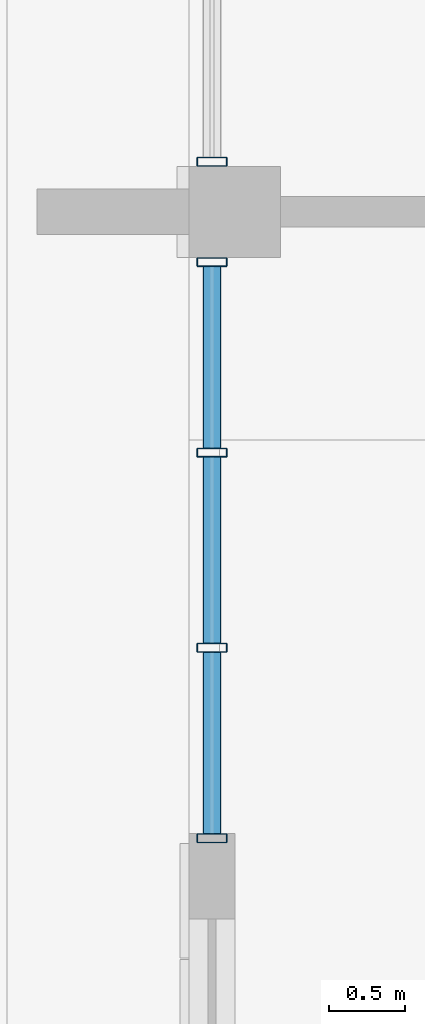
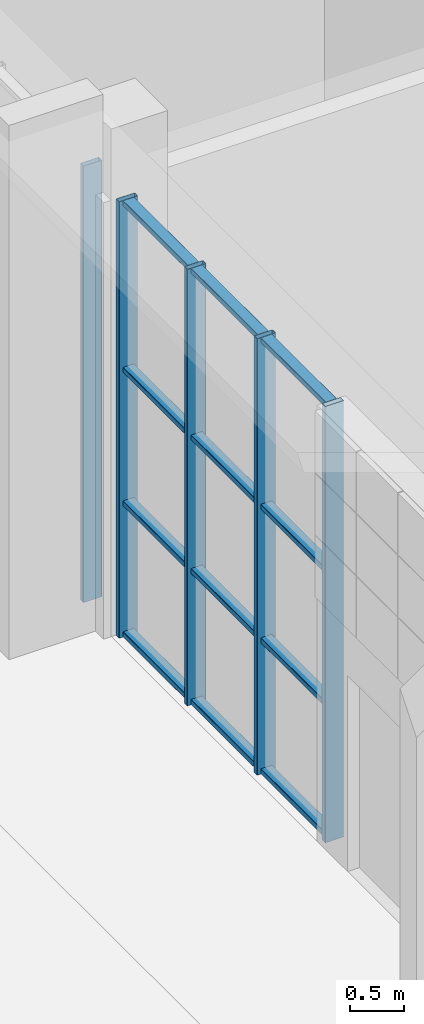
# One storey, part 33 of 125: 17 members, 2 elements without a shape of their own.
"""IFC4 building model written with IfcOpenShell, lengths in metres."""

from ifc_helpers import new_model, si_unit, direction, frame, origin, origin_2d, place, context, subcontext, project, spatial, hollow_rectangle, extrude, material, material_profile, profile_set, type_object, element, aggregate, save


model = new_model("IFC4")

# Units and contexts
model_context = context("Model", 3, precision=1e-05, world=origin(), true_north=direction((0.0, 1.0)))
body_context = subcontext(model_context, "Body", "Model", "MODEL_VIEW")
ifc_project = project(units=[si_unit("LENGTHUNIT", "METRE"), si_unit("AREAUNIT", "SQUARE_METRE"), si_unit("VOLUMEUNIT", "CUBIC_METRE"), si_unit("PLANEANGLEUNIT", "RADIAN"), si_unit("MASSUNIT", "GRAM", prefix="KILO")], contexts=[model_context])

# Site, building, storey
site_placement = place(None, origin())
site = spatial("IfcSite", under=ifc_project, at=site_placement, CompositionType="ELEMENT")
building_placement = place(site_placement, origin())
building = spatial("IfcBuilding", under=site, at=building_placement, Name="Sun Court Science Centre", CompositionType="ELEMENT")
storey_placement = place(building_placement, origin())
storey = spatial("IfcBuildingStorey", under=building, at=storey_placement, Name="L00", CompositionType="ELEMENT", Elevation=0.0)

# Curtain wall, members
ifc_material_1 = material(Name="Aluminium EN AW-6063 T6", Category="aluminium")
curtain_wall_type = type_object("IfcCurtainWallType", Name="Laboratory tall bay curtain wall 1500", PredefinedType="NOTDEFINED", material=ifc_material_1)
curtain_wall_1_placement = place(storey_placement, origin())
curtain_wall_1 = element("IfcCurtainWall", 1, at=curtain_wall_1_placement, inside=storey, type_object=curtain_wall_type, Name="Curtain wall V4 W L00 07", PredefinedType="NOTDEFINED")
ifc_material_2 = material(Name="Aluminium EN AW-6063 T6", Category="aluminium")
ifc_material_profile_1 = material_profile(ifc_material_2, hollow_rectangle(XDim=0.06005859375, YDim=0.199951171875, WallThickness=0.0048828125, InnerFilletRadius=0.0048828125, OuterFilletRadius=0.007568359375, at=origin_2d()), Name="AL 60x200x5")
ifc_profile_set_1 = profile_set([ifc_material_profile_1], Name="Aluminium EN AW-6063 T6")
member_type_1 = type_object("IfcMemberType", Name="Curtain wall mullion AL 60x200", PredefinedType="MULLION", material=ifc_profile_set_1)
member_1_placement = place(storey_placement, frame((78.14990234375, 61.8798828125, 0.0), z_axis=(0.0, 0.0, 1.0), x_axis=(0.0, 1.0, 0.0)))
member_1 = element("IfcMember", 2, at=member_1_placement, type_object=member_type_1, Name="CW2-07 mullion 1", PredefinedType="MULLION", context=body_context, shape_type="SweptSolid", body=[
    extrude(hollow_rectangle(XDim=0.06005859375, YDim=0.199951171875, WallThickness=0.0048828125, InnerFilletRadius=0.0048828125, OuterFilletRadius=0.007568359375, at=origin_2d()), origin(), (0.0, 0.0, 1.0), 4.89990234375),
])
member_2_placement = place(storey_placement, frame((78.14990234375, 63.13330078125, 0.0), z_axis=(0.0, 0.0, 1.0), x_axis=(0.0, 1.0, 0.0)))
member_2 = element("IfcMember", 3, at=member_2_placement, type_object=member_type_1, Name="CW2-07 mullion 2", PredefinedType="MULLION", context=body_context, shape_type="SweptSolid", body=[
    extrude(hollow_rectangle(XDim=0.06005859375, YDim=0.199951171875, WallThickness=0.0048828125, InnerFilletRadius=0.0048828125, OuterFilletRadius=0.007568359375, at=origin_2d()), origin(), (0.0, 0.0, 1.0), 4.89990234375),
])
member_3_placement = place(storey_placement, frame((78.14990234375, 64.416748046875, 0.0), z_axis=(0.0, 0.0, 1.0), x_axis=(0.0, 1.0, 0.0)))
member_3 = element("IfcMember", 4, at=member_3_placement, type_object=member_type_1, Name="CW2-07 mullion 3", PredefinedType="MULLION", context=body_context, shape_type="SweptSolid", body=[
    extrude(hollow_rectangle(XDim=0.06005859375, YDim=0.199951171875, WallThickness=0.0048828125, InnerFilletRadius=0.0048828125, OuterFilletRadius=0.007568359375, at=origin_2d()), origin(), (0.0, 0.0, 1.0), 4.89990234375),
])
member_4_placement = place(storey_placement, frame((78.14990234375, 65.669921875, 0.0), z_axis=(0.0, 0.0, 1.0), x_axis=(0.0, 1.0, 0.0)))
member_4 = element("IfcMember", 5, at=member_4_placement, type_object=member_type_1, Name="CW2-07 mullion 4", PredefinedType="MULLION", context=body_context, shape_type="SweptSolid", body=[
    extrude(hollow_rectangle(XDim=0.06005859375, YDim=0.199951171875, WallThickness=0.0048828125, InnerFilletRadius=0.0048828125, OuterFilletRadius=0.007568359375, at=origin_2d()), origin(), (0.0, 0.0, 1.0), 4.89990234375),
])

# Curtain wall, member
curtain_wall_2_placement = place(storey_placement, origin())
curtain_wall_2 = element("IfcCurtainWall", 6, at=curtain_wall_2_placement, inside=storey, type_object=curtain_wall_type, Name="Curtain wall V4 W L00 08", PredefinedType="NOTDEFINED")
member_5_placement = place(storey_placement, frame((78.14990234375, 66.330078125, 0.0), z_axis=(0.0, 0.0, 1.0), x_axis=(0.0, 1.0, 0.0)))
member_5 = element("IfcMember", 7, at=member_5_placement, type_object=member_type_1, Name="CW2-08 mullion 1", PredefinedType="MULLION", context=body_context, shape_type="SweptSolid", body=[
    extrude(hollow_rectangle(XDim=0.06005859375, YDim=0.199951171875, WallThickness=0.0048828125, InnerFilletRadius=0.0048828125, OuterFilletRadius=0.007568359375, at=origin_2d()), origin(), (0.0, 0.0, 1.0), 4.89990234375),
])
aggregate(curtain_wall_2, [member_5])

# Member
ifc_material_3 = material(Name="Aluminium EN AW-6063 T6", Category="aluminium")
ifc_material_profile_2 = material_profile(ifc_material_3, hollow_rectangle(XDim=0.06005859375, YDim=0.1201171875, WallThickness=0.00390625, InnerFilletRadius=0.00390625, OuterFilletRadius=0.006103515625, at=origin_2d()), Name="AL 60x120x4")
ifc_profile_set_2 = profile_set([ifc_material_profile_2], Name="Aluminium EN AW-6063 T6")
member_type_2 = type_object("IfcMemberType", Name="Curtain wall transom AL 60x120", PredefinedType="USERDEFINED", material=ifc_profile_set_2)
member_6_placement = place(storey_placement, frame((78.14990234375, 61.909912109375, 0.030029296875), z_axis=(0.0, 1.0, 0.0), x_axis=(0.0, 0.0, 1.0)))
member_6 = element("IfcMember", 8, at=member_6_placement, type_object=member_type_2, Name="CW2-07 transom 1.1", ObjectType="TRANSOM", PredefinedType="USERDEFINED", context=body_context, shape_type="SweptSolid", body=[
    extrude(hollow_rectangle(XDim=0.06005859375, YDim=0.1201171875, WallThickness=0.00390625, InnerFilletRadius=0.00390625, OuterFilletRadius=0.006103515625, at=origin_2d()), origin(), (0.0, 0.0, 1.0), 1.193359375),
])

member_7_placement = place(storey_placement, frame((78.14990234375, 63.163330078125, 0.030029296875), z_axis=(0.0, 1.0, 0.0), x_axis=(0.0, 0.0, 1.0)))
member_7 = element("IfcMember", 9, at=member_7_placement, type_object=member_type_2, Name="CW2-07 transom 2.1", ObjectType="TRANSOM", PredefinedType="USERDEFINED", context=body_context, shape_type="SweptSolid", body=[
    extrude(hollow_rectangle(XDim=0.06005859375, YDim=0.1201171875, WallThickness=0.00390625, InnerFilletRadius=0.00390625, OuterFilletRadius=0.006103515625, at=origin_2d()), origin(), (0.0, 0.0, 1.0), 1.223388671875),
])

member_8_placement = place(storey_placement, frame((78.14990234375, 64.44677734375, 0.030029296875), z_axis=(0.0, 1.0, 0.0), x_axis=(0.0, 0.0, 1.0)))
member_8 = element("IfcMember", 10, at=member_8_placement, type_object=member_type_2, Name="CW2-07 transom 3.1", ObjectType="TRANSOM", PredefinedType="USERDEFINED", context=body_context, shape_type="SweptSolid", body=[
    extrude(hollow_rectangle(XDim=0.06005859375, YDim=0.1201171875, WallThickness=0.00390625, InnerFilletRadius=0.00390625, OuterFilletRadius=0.006103515625, at=origin_2d()), origin(), (0.0, 0.0, 1.0), 1.193115234375),
])

member_9_placement = place(storey_placement, frame((78.14990234375, 61.909912109375, 1.5), z_axis=(0.0, 1.0, 0.0), x_axis=(0.0, 0.0, 1.0)))
member_9 = element("IfcMember", 11, at=member_9_placement, type_object=member_type_2, Name="CW2-07 transom 1.2", ObjectType="TRANSOM", PredefinedType="USERDEFINED", context=body_context, shape_type="SweptSolid", body=[
    extrude(hollow_rectangle(XDim=0.06005859375, YDim=0.1201171875, WallThickness=0.00390625, InnerFilletRadius=0.00390625, OuterFilletRadius=0.006103515625, at=origin_2d()), origin(), (0.0, 0.0, 1.0), 1.193359375),
])

member_10_placement = place(storey_placement, frame((78.14990234375, 63.163330078125, 1.5), z_axis=(0.0, 1.0, 0.0), x_axis=(0.0, 0.0, 1.0)))
member_10 = element("IfcMember", 12, at=member_10_placement, type_object=member_type_2, Name="CW2-07 transom 2.2", ObjectType="TRANSOM", PredefinedType="USERDEFINED", context=body_context, shape_type="SweptSolid", body=[
    extrude(hollow_rectangle(XDim=0.06005859375, YDim=0.1201171875, WallThickness=0.00390625, InnerFilletRadius=0.00390625, OuterFilletRadius=0.006103515625, at=origin_2d()), origin(), (0.0, 0.0, 1.0), 1.223388671875),
])

member_11_placement = place(storey_placement, frame((78.14990234375, 64.44677734375, 1.5), z_axis=(0.0, 1.0, 0.0), x_axis=(0.0, 0.0, 1.0)))
member_11 = element("IfcMember", 13, at=member_11_placement, type_object=member_type_2, Name="CW2-07 transom 3.2", ObjectType="TRANSOM", PredefinedType="USERDEFINED", context=body_context, shape_type="SweptSolid", body=[
    extrude(hollow_rectangle(XDim=0.06005859375, YDim=0.1201171875, WallThickness=0.00390625, InnerFilletRadius=0.00390625, OuterFilletRadius=0.006103515625, at=origin_2d()), origin(), (0.0, 0.0, 1.0), 1.193115234375),
])

member_12_placement = place(storey_placement, frame((78.14990234375, 61.909912109375, 3.0), z_axis=(0.0, 1.0, 0.0), x_axis=(0.0, 0.0, 1.0)))
member_12 = element("IfcMember", 14, at=member_12_placement, type_object=member_type_2, Name="CW2-07 transom 1.3", ObjectType="TRANSOM", PredefinedType="USERDEFINED", context=body_context, shape_type="SweptSolid", body=[
    extrude(hollow_rectangle(XDim=0.06005859375, YDim=0.1201171875, WallThickness=0.00390625, InnerFilletRadius=0.00390625, OuterFilletRadius=0.006103515625, at=origin_2d()), origin(), (0.0, 0.0, 1.0), 1.193359375),
])

member_13_placement = place(storey_placement, frame((78.14990234375, 63.163330078125, 3.0), z_axis=(0.0, 1.0, 0.0), x_axis=(0.0, 0.0, 1.0)))
member_13 = element("IfcMember", 15, at=member_13_placement, type_object=member_type_2, Name="CW2-07 transom 2.3", ObjectType="TRANSOM", PredefinedType="USERDEFINED", context=body_context, shape_type="SweptSolid", body=[
    extrude(hollow_rectangle(XDim=0.06005859375, YDim=0.1201171875, WallThickness=0.00390625, InnerFilletRadius=0.00390625, OuterFilletRadius=0.006103515625, at=origin_2d()), origin(), (0.0, 0.0, 1.0), 1.223388671875),
])

member_14_placement = place(storey_placement, frame((78.14990234375, 64.44677734375, 3.0), z_axis=(0.0, 1.0, 0.0), x_axis=(0.0, 0.0, 1.0)))
member_14 = element("IfcMember", 16, at=member_14_placement, type_object=member_type_2, Name="CW2-07 transom 3.3", ObjectType="TRANSOM", PredefinedType="USERDEFINED", context=body_context, shape_type="SweptSolid", body=[
    extrude(hollow_rectangle(XDim=0.06005859375, YDim=0.1201171875, WallThickness=0.00390625, InnerFilletRadius=0.00390625, OuterFilletRadius=0.006103515625, at=origin_2d()), origin(), (0.0, 0.0, 1.0), 1.193115234375),
])

member_15_placement = place(storey_placement, frame((78.14990234375, 61.909912109375, 4.8701171875), z_axis=(0.0, 1.0, 0.0), x_axis=(0.0, 0.0, 1.0)))
member_15 = element("IfcMember", 17, at=member_15_placement, type_object=member_type_2, Name="CW2-07 transom 1.4", ObjectType="TRANSOM", PredefinedType="USERDEFINED", context=body_context, shape_type="SweptSolid", body=[
    extrude(hollow_rectangle(XDim=0.06005859375, YDim=0.1201171875, WallThickness=0.00390625, InnerFilletRadius=0.00390625, OuterFilletRadius=0.006103515625, at=origin_2d()), origin(), (0.0, 0.0, 1.0), 1.193359375),
])

member_16_placement = place(storey_placement, frame((78.14990234375, 63.163330078125, 4.8701171875), z_axis=(0.0, 1.0, 0.0), x_axis=(0.0, 0.0, 1.0)))
member_16 = element("IfcMember", 18, at=member_16_placement, type_object=member_type_2, Name="CW2-07 transom 2.4", ObjectType="TRANSOM", PredefinedType="USERDEFINED", context=body_context, shape_type="SweptSolid", body=[
    extrude(hollow_rectangle(XDim=0.06005859375, YDim=0.1201171875, WallThickness=0.00390625, InnerFilletRadius=0.00390625, OuterFilletRadius=0.006103515625, at=origin_2d()), origin(), (0.0, 0.0, 1.0), 1.223388671875),
])

member_17_placement = place(storey_placement, frame((78.14990234375, 64.44677734375, 4.8701171875), z_axis=(0.0, 1.0, 0.0), x_axis=(0.0, 0.0, 1.0)))
member_17 = element("IfcMember", 19, at=member_17_placement, type_object=member_type_2, Name="CW2-07 transom 3.4", ObjectType="TRANSOM", PredefinedType="USERDEFINED", context=body_context, shape_type="SweptSolid", body=[
    extrude(hollow_rectangle(XDim=0.06005859375, YDim=0.1201171875, WallThickness=0.00390625, InnerFilletRadius=0.00390625, OuterFilletRadius=0.006103515625, at=origin_2d()), origin(), (0.0, 0.0, 1.0), 1.193115234375),
])

aggregate(curtain_wall_1, [member_1, member_2, member_3, member_4, member_6, member_7, member_8, member_9, member_10, member_11, member_12, member_13, member_14, member_15, member_16, member_17])

save(model, "model.ifc")
